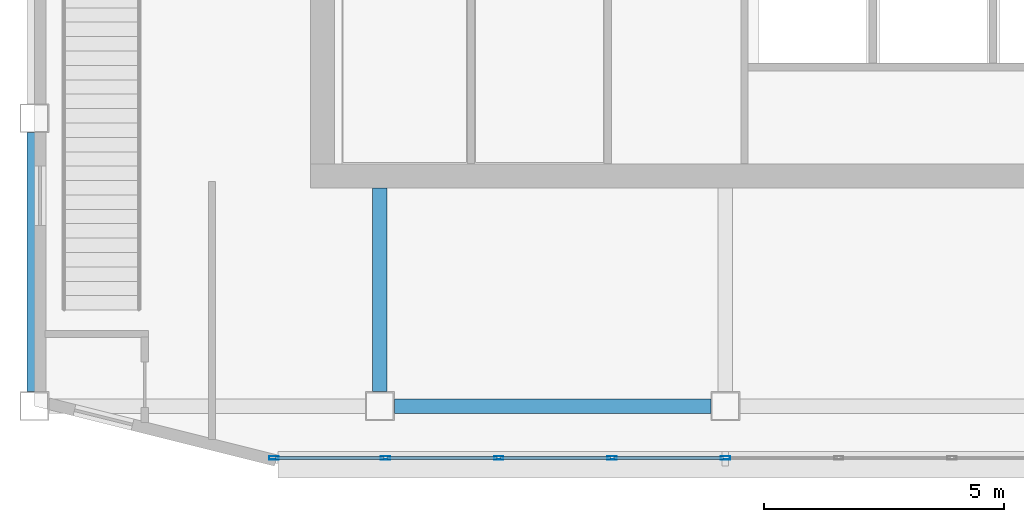
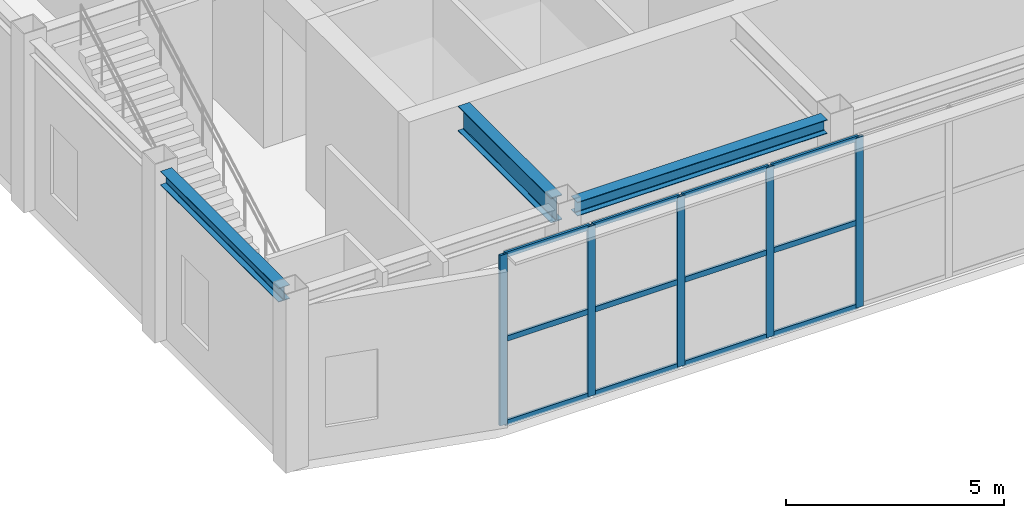
# One storey, part 2 of 11: 17 members, 3 beams, 1 element without a shape of its own.
"""IFC4 building model written with IfcOpenShell, lengths in metres."""

from ifc_helpers import new_model, si_unit, direction, frame, origin, origin_2d, place, context, subcontext, project, spatial, hollow_rectangle, i_section, extrude, material, layer, layer_set, material_profile, profile_set, type_object, element, aggregate, save


model = new_model("IFC4")

# Units and contexts
model_context = context("Model", 3, precision=1e-05, world=origin(), true_north=direction((0.0, 1.0)))
body_context = subcontext(model_context, "Body", "Model", "MODEL_VIEW")
ifc_project = project(units=[si_unit("LENGTHUNIT", "METRE"), si_unit("AREAUNIT", "SQUARE_METRE"), si_unit("VOLUMEUNIT", "CUBIC_METRE"), si_unit("PLANEANGLEUNIT", "RADIAN"), si_unit("MASSUNIT", "GRAM", prefix="KILO")], contexts=[model_context])

# Site, building, storey
site_placement = place(None, origin())
site = spatial("IfcSite", under=ifc_project, at=site_placement, CompositionType="ELEMENT")
building_placement = place(site_placement, origin())
building = spatial("IfcBuilding", under=site, at=building_placement, Name="Haolan Belvedere Tower", CompositionType="ELEMENT")
storey_placement = place(building_placement, frame((0.0, 0.0, 318.199951171875)))
storey = spatial("IfcBuildingStorey", under=building, at=storey_placement, Name="L80", CompositionType="ELEMENT", Elevation=318.199951171875)

# Beams
ifc_material_1 = material(Name="Steel Q355B", Category="steel")
ifc_material_profile_1 = material_profile(ifc_material_1, i_section(OverallWidth=0.300048828125, OverallDepth=0.389892578125, WebThickness=0.010009765625, FlangeThickness=0.01611328125, FilletRadius=0.02197265625, at=origin_2d()), Name="Steel Q355B")
ifc_profile_set_1 = profile_set([ifc_material_profile_1], Name="Steel Q355B")
beam_type_1 = type_object("IfcBeamType", Name="BM-HM390x300x10x16", PredefinedType="SPANDREL", material=ifc_profile_set_1)
beam_1_placement = place(storey_placement, frame((24.0, 21.89990234375, 4.56494140625), z_axis=(0.0, 1.0, 0.0), x_axis=(-1.0, 0.0, 0.0)))
element("IfcBeam", 1, at=beam_1_placement, inside=storey, type_object=beam_type_1, Name="L80 spandrel girder MC-T3-SW-TC-T3-W1", PredefinedType="SPANDREL", context=body_context, shape_type="SweptSolid", body=[
    extrude(i_section(OverallWidth=0.300048828125, OverallDepth=0.389892578125, WebThickness=0.010009765625, FlangeThickness=0.01611328125, FilletRadius=0.02197265625, at=origin_2d()), origin(), (0.0, 0.0, 1.0), 5.400146484375),
])
beam_2_placement = place(storey_placement, frame((31.5, 21.60009765625, 4.56494140625), z_axis=(1.0, 0.0, 0.0), x_axis=(0.0, 1.0, 0.0)))
element("IfcBeam", 2, at=beam_2_placement, inside=storey, type_object=beam_type_1, Name="L80 spandrel girder MC-T3-S1-TC-T3-SM", PredefinedType="SPANDREL", context=body_context, shape_type="SweptSolid", body=[
    extrude(i_section(OverallWidth=0.300048828125, OverallDepth=0.389892578125, WebThickness=0.010009765625, FlangeThickness=0.01611328125, FilletRadius=0.02197265625, at=origin_2d()), origin(), (0.0, 0.0, 1.0), 6.60009765625),
])
ifc_material_profile_2 = material_profile(ifc_material_1, i_section(OverallWidth=0.300048828125, OverallDepth=0.699951171875, WebThickness=0.012939453125, FlangeThickness=0.02392578125, FilletRadius=0.02587890625, at=origin_2d()), Name="Steel Q355B")
ifc_profile_set_2 = profile_set([ifc_material_profile_2], Name="Steel Q355B")
beam_type_2 = type_object("IfcBeamType", Name="BM-HN700x300x13x24", PredefinedType="BEAM", material=ifc_profile_set_2)
beam_3_placement = place(storey_placement, frame((31.199951171875, 21.89990234375, 4.41015625), z_axis=(0.0, 1.0, 0.0), x_axis=(-1.0, 0.0, 0.0)))
element("IfcBeam", 3, at=beam_3_placement, inside=storey, type_object=beam_type_2, Name="L80 core tie beam from MC-T3-S1", PredefinedType="BEAM", context=body_context, shape_type="SweptSolid", body=[
    extrude(i_section(OverallWidth=0.300048828125, OverallDepth=0.699951171875, WebThickness=0.012939453125, FlangeThickness=0.02392578125, FilletRadius=0.02587890625, at=origin_2d()), origin(), (0.0, 0.0, 1.0), 4.25),
])

# Curtain wall, members
ifc_material_2 = material(Name="Anodised champagne-silver aluminium 6063-T6 and Low-E glass", Category="aluminium")
ifc_layer = layer(ifc_material_2, 0.195068359375, Name="Anodised champagne-silver aluminium 6063-T6 and Low-E glass")
ifc_layer_set = layer_set([ifc_layer], Name="Anodised champagne-silver aluminium 6063-T6 and Low-E glass")
curtain_wall_type = type_object("IfcCurtainWallType", Name="CW-SYS-06", PredefinedType="NOTDEFINED", material=ifc_layer_set)
curtain_wall_placement = place(storey_placement, origin())
curtain_wall = element("IfcCurtainWall", 4, at=curtain_wall_placement, inside=storey, type_object=curtain_wall_type, Name="L80 CW-SYS-06 ribbon curtain wall 1.1", PredefinedType="NOTDEFINED")
ifc_material_3 = material(Name="Anodised aluminium 6063-T6", Category="aluminium")
ifc_material_profile_3 = material_profile(ifc_material_3, hollow_rectangle(XDim=0.070068359375, YDim=0.195068359375, WallThickness=0.00390625, at=origin_2d()), Name="Anodised aluminium 6063-T6")
ifc_profile_set_3 = profile_set([ifc_material_profile_3], Name="Anodised aluminium 6063-T6")
member_type_1 = type_object("IfcMemberType", Name="CW-SYS-06-MUL", PredefinedType="MULLION", material=ifc_profile_set_3)
member_1_placement = place(storey_placement, frame((28.98974609375, 20.52001953125, 0.0), z_axis=(0.0, 0.0, 1.0), x_axis=(0.0, 1.0, 0.0)))
member_1 = element("IfcMember", 5, at=member_1_placement, type_object=member_type_1, Name="CW-06 mullion 1", PredefinedType="MULLION", context=body_context, shape_type="SweptSolid", body=[
    extrude(hollow_rectangle(XDim=0.070068359375, YDim=0.195068359375, WallThickness=0.00390625, at=origin_2d()), origin(), (0.0, 0.0, 1.0), 4.760009765625),
])
member_2_placement = place(storey_placement, frame((31.316162109375, 20.52001953125, 0.0), z_axis=(0.0, 0.0, 1.0), x_axis=(0.0, 1.0, 0.0)))
member_2 = element("IfcMember", 6, at=member_2_placement, type_object=member_type_1, Name="CW-06 mullion 2", PredefinedType="MULLION", context=body_context, shape_type="SweptSolid", body=[
    extrude(hollow_rectangle(XDim=0.070068359375, YDim=0.195068359375, WallThickness=0.00390625, at=origin_2d()), origin(), (0.0, 0.0, 1.0), 4.760009765625),
])
member_3_placement = place(storey_placement, frame((33.677490234375, 20.52001953125, 0.0), z_axis=(0.0, 0.0, 1.0), x_axis=(0.0, 1.0, 0.0)))
member_3 = element("IfcMember", 7, at=member_3_placement, type_object=member_type_1, Name="CW-06 mullion 3", PredefinedType="MULLION", context=body_context, shape_type="SweptSolid", body=[
    extrude(hollow_rectangle(XDim=0.070068359375, YDim=0.195068359375, WallThickness=0.00390625, at=origin_2d()), origin(), (0.0, 0.0, 1.0), 4.760009765625),
])
member_4_placement = place(storey_placement, frame((36.038818359375, 20.52001953125, 0.0), z_axis=(0.0, 0.0, 1.0), x_axis=(0.0, 1.0, 0.0)))
member_4 = element("IfcMember", 8, at=member_4_placement, type_object=member_type_1, Name="CW-06 mullion 4", PredefinedType="MULLION", context=body_context, shape_type="SweptSolid", body=[
    extrude(hollow_rectangle(XDim=0.070068359375, YDim=0.195068359375, WallThickness=0.00390625, at=origin_2d()), origin(), (0.0, 0.0, 1.0), 4.760009765625),
])
member_5_placement = place(storey_placement, frame((38.39990234375, 20.52001953125, 0.0), z_axis=(0.0, 0.0, 1.0), x_axis=(0.0, 1.0, 0.0)))
member_5 = element("IfcMember", 9, at=member_5_placement, type_object=member_type_1, Name="CW-06 mullion 5", PredefinedType="MULLION", context=body_context, shape_type="SweptSolid", body=[
    extrude(hollow_rectangle(XDim=0.070068359375, YDim=0.195068359375, WallThickness=0.00390625, at=origin_2d()), origin(), (0.0, 0.0, 1.0), 4.760009765625),
])
ifc_material_profile_4 = material_profile(ifc_material_3, hollow_rectangle(XDim=0.06494140625, YDim=0.14990234375, WallThickness=0.00390625, at=origin_2d()), Name="Anodised aluminium 6063-T6")
ifc_profile_set_4 = profile_set([ifc_material_profile_4], Name="Anodised aluminium 6063-T6")
member_type_2 = type_object("IfcMemberType", Name="CW-SYS-06-TRN", PredefinedType="USERDEFINED", material=ifc_profile_set_4)
member_6_placement = place(storey_placement, frame((29.02490234375, 20.52001953125, 0.032470703125), z_axis=(1.0, 0.0, 0.0), x_axis=(0.0, 1.0, 0.0)))
member_6 = element("IfcMember", 10, at=member_6_placement, type_object=member_type_2, Name="CW-06 transom 1.1", ObjectType="TRANSOM", PredefinedType="USERDEFINED", context=body_context, shape_type="SweptSolid", body=[
    extrude(hollow_rectangle(XDim=0.06494140625, YDim=0.14990234375, WallThickness=0.00390625, at=origin_2d()), origin(), (0.0, 0.0, 1.0), 2.256103515625),
])
member_7_placement = place(storey_placement, frame((29.02490234375, 20.52001953125, 2.380126953125), z_axis=(1.0, 0.0, 0.0), x_axis=(0.0, 1.0, 0.0)))
member_7 = element("IfcMember", 11, at=member_7_placement, type_object=member_type_2, Name="CW-06 transom 1.2", ObjectType="TRANSOM", PredefinedType="USERDEFINED", context=body_context, shape_type="SweptSolid", body=[
    extrude(hollow_rectangle(XDim=0.06494140625, YDim=0.14990234375, WallThickness=0.00390625, at=origin_2d()), origin(), (0.0, 0.0, 1.0), 2.256103515625),
])
member_8_placement = place(storey_placement, frame((29.02490234375, 20.52001953125, 4.7275390625), z_axis=(1.0, 0.0, 0.0), x_axis=(0.0, 1.0, 0.0)))
member_8 = element("IfcMember", 12, at=member_8_placement, type_object=member_type_2, Name="CW-06 transom 1.3", ObjectType="TRANSOM", PredefinedType="USERDEFINED", context=body_context, shape_type="SweptSolid", body=[
    extrude(hollow_rectangle(XDim=0.06494140625, YDim=0.14990234375, WallThickness=0.00390625, at=origin_2d()), origin(), (0.0, 0.0, 1.0), 2.256103515625),
])
member_9_placement = place(storey_placement, frame((31.35107421875, 20.52001953125, 0.032470703125), z_axis=(1.0, 0.0, 0.0), x_axis=(0.0, 1.0, 0.0)))
member_9 = element("IfcMember", 13, at=member_9_placement, type_object=member_type_2, Name="CW-06 transom 2.1", ObjectType="TRANSOM", PredefinedType="USERDEFINED", context=body_context, shape_type="SweptSolid", body=[
    extrude(hollow_rectangle(XDim=0.06494140625, YDim=0.14990234375, WallThickness=0.00390625, at=origin_2d()), origin(), (0.0, 0.0, 1.0), 2.291259765625),
])
member_10_placement = place(storey_placement, frame((31.35107421875, 20.52001953125, 2.380126953125), z_axis=(1.0, 0.0, 0.0), x_axis=(0.0, 1.0, 0.0)))
member_10 = element("IfcMember", 14, at=member_10_placement, type_object=member_type_2, Name="CW-06 transom 2.2", ObjectType="TRANSOM", PredefinedType="USERDEFINED", context=body_context, shape_type="SweptSolid", body=[
    extrude(hollow_rectangle(XDim=0.06494140625, YDim=0.14990234375, WallThickness=0.00390625, at=origin_2d()), origin(), (0.0, 0.0, 1.0), 2.291259765625),
])
member_11_placement = place(storey_placement, frame((31.35107421875, 20.52001953125, 4.7275390625), z_axis=(1.0, 0.0, 0.0), x_axis=(0.0, 1.0, 0.0)))
member_11 = element("IfcMember", 15, at=member_11_placement, type_object=member_type_2, Name="CW-06 transom 2.3", ObjectType="TRANSOM", PredefinedType="USERDEFINED", context=body_context, shape_type="SweptSolid", body=[
    extrude(hollow_rectangle(XDim=0.06494140625, YDim=0.14990234375, WallThickness=0.00390625, at=origin_2d()), origin(), (0.0, 0.0, 1.0), 2.291259765625),
])
member_12_placement = place(storey_placement, frame((33.71240234375, 20.52001953125, 0.032470703125), z_axis=(1.0, 0.0, 0.0), x_axis=(0.0, 1.0, 0.0)))
member_12 = element("IfcMember", 16, at=member_12_placement, type_object=member_type_2, Name="CW-06 transom 3.1", ObjectType="TRANSOM", PredefinedType="USERDEFINED", context=body_context, shape_type="SweptSolid", body=[
    extrude(hollow_rectangle(XDim=0.06494140625, YDim=0.14990234375, WallThickness=0.00390625, at=origin_2d()), origin(), (0.0, 0.0, 1.0), 2.291259765625),
])
member_13_placement = place(storey_placement, frame((33.71240234375, 20.52001953125, 2.380126953125), z_axis=(1.0, 0.0, 0.0), x_axis=(0.0, 1.0, 0.0)))
member_13 = element("IfcMember", 17, at=member_13_placement, type_object=member_type_2, Name="CW-06 transom 3.2", ObjectType="TRANSOM", PredefinedType="USERDEFINED", context=body_context, shape_type="SweptSolid", body=[
    extrude(hollow_rectangle(XDim=0.06494140625, YDim=0.14990234375, WallThickness=0.00390625, at=origin_2d()), origin(), (0.0, 0.0, 1.0), 2.291259765625),
])
member_14_placement = place(storey_placement, frame((33.71240234375, 20.52001953125, 4.7275390625), z_axis=(1.0, 0.0, 0.0), x_axis=(0.0, 1.0, 0.0)))
member_14 = element("IfcMember", 18, at=member_14_placement, type_object=member_type_2, Name="CW-06 transom 3.3", ObjectType="TRANSOM", PredefinedType="USERDEFINED", context=body_context, shape_type="SweptSolid", body=[
    extrude(hollow_rectangle(XDim=0.06494140625, YDim=0.14990234375, WallThickness=0.00390625, at=origin_2d()), origin(), (0.0, 0.0, 1.0), 2.291259765625),
])
member_15_placement = place(storey_placement, frame((36.07373046875, 20.52001953125, 0.032470703125), z_axis=(1.0, 0.0, 0.0), x_axis=(0.0, 1.0, 0.0)))
member_15 = element("IfcMember", 19, at=member_15_placement, type_object=member_type_2, Name="CW-06 transom 4.1", ObjectType="TRANSOM", PredefinedType="USERDEFINED", context=body_context, shape_type="SweptSolid", body=[
    extrude(hollow_rectangle(XDim=0.06494140625, YDim=0.14990234375, WallThickness=0.00390625, at=origin_2d()), origin(), (0.0, 0.0, 1.0), 2.291259765625),
])
member_16_placement = place(storey_placement, frame((36.07373046875, 20.52001953125, 2.380126953125), z_axis=(1.0, 0.0, 0.0), x_axis=(0.0, 1.0, 0.0)))
member_16 = element("IfcMember", 20, at=member_16_placement, type_object=member_type_2, Name="CW-06 transom 4.2", ObjectType="TRANSOM", PredefinedType="USERDEFINED", context=body_context, shape_type="SweptSolid", body=[
    extrude(hollow_rectangle(XDim=0.06494140625, YDim=0.14990234375, WallThickness=0.00390625, at=origin_2d()), origin(), (0.0, 0.0, 1.0), 2.291259765625),
])
member_17_placement = place(storey_placement, frame((36.07373046875, 20.52001953125, 4.7275390625), z_axis=(1.0, 0.0, 0.0), x_axis=(0.0, 1.0, 0.0)))
member_17 = element("IfcMember", 21, at=member_17_placement, type_object=member_type_2, Name="CW-06 transom 4.3", ObjectType="TRANSOM", PredefinedType="USERDEFINED", context=body_context, shape_type="SweptSolid", body=[
    extrude(hollow_rectangle(XDim=0.06494140625, YDim=0.14990234375, WallThickness=0.00390625, at=origin_2d()), origin(), (0.0, 0.0, 1.0), 2.291259765625),
])
aggregate(curtain_wall, [member_1, member_2, member_3, member_4, member_5, member_6, member_7, member_8, member_9, member_10, member_11, member_12, member_13, member_14, member_15, member_16, member_17])

save(model, "model.ifc")
